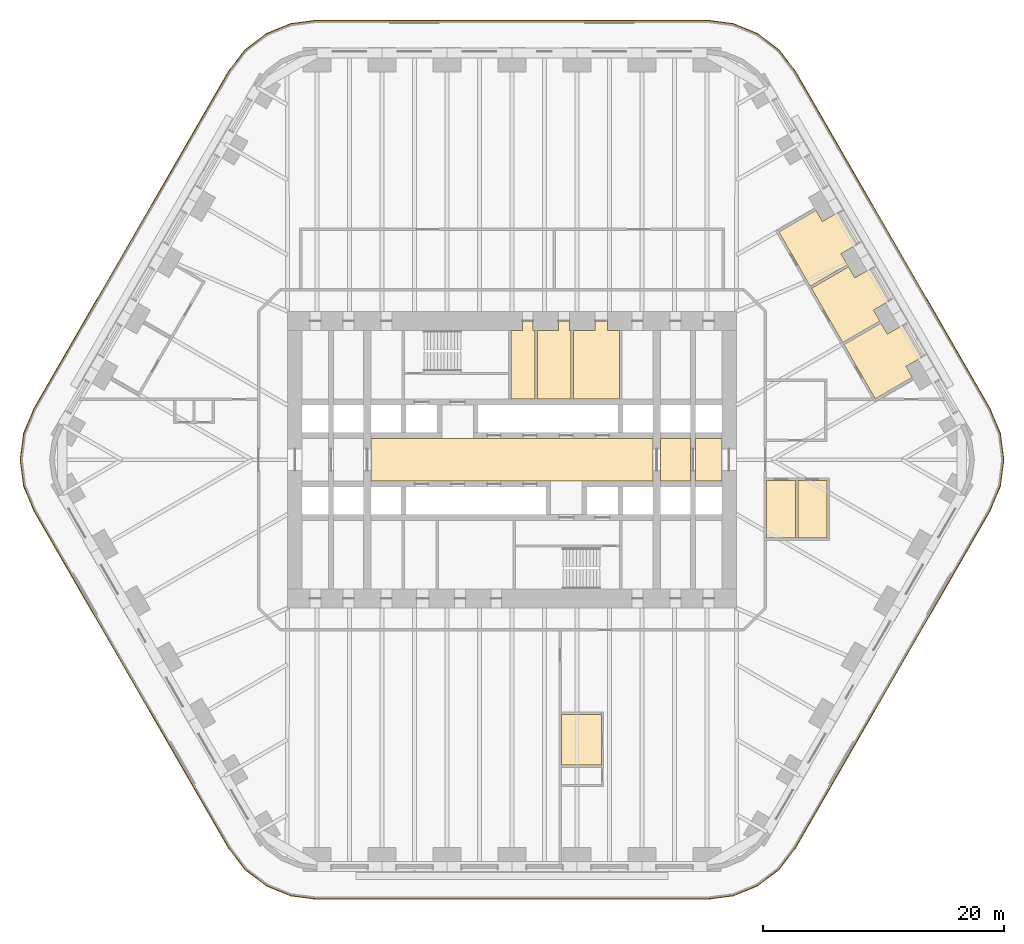
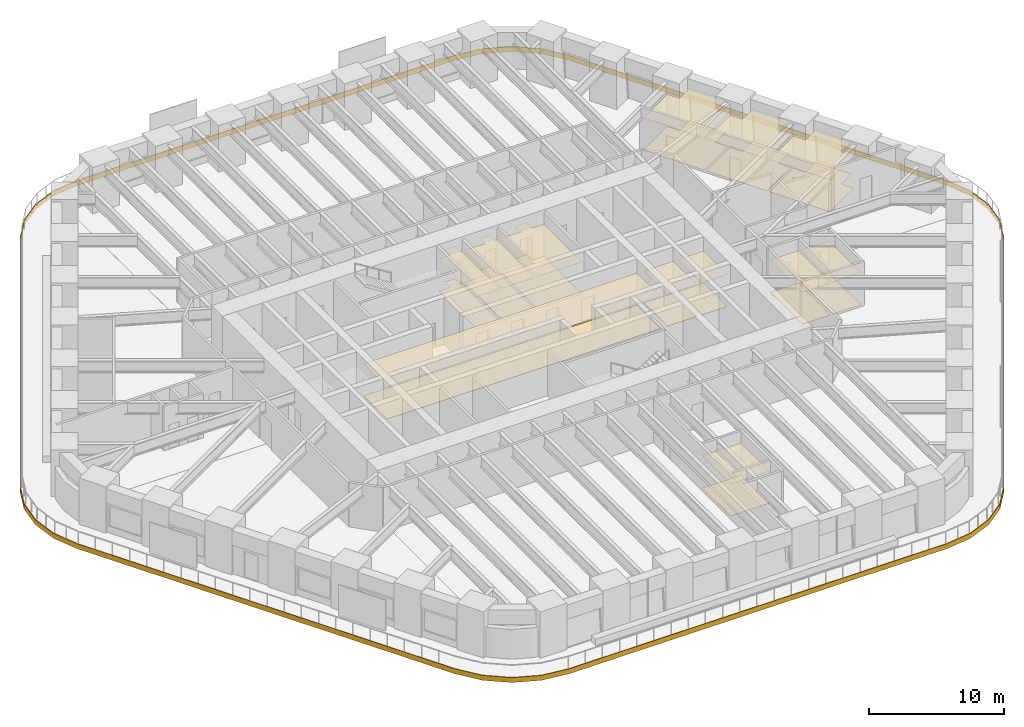
# One storey, part 22 of 23: 15 coverings.
"""IFC4 building model written with IfcOpenShell, lengths in metres."""

from ifc_helpers import new_model, si_unit, direction, frame, origin, place, context, subcontext, project, spatial, polyline, outline, extrude, material, layer, layer_set, type_object, element, save


model = new_model("IFC4")

# Units and contexts
model_context = context("Model", 3, precision=1e-05, world=origin(), true_north=direction((0.0, 1.0)))
body_context = subcontext(model_context, "Body", "Model", "MODEL_VIEW")
ifc_project = project(units=[si_unit("LENGTHUNIT", "METRE"), si_unit("AREAUNIT", "SQUARE_METRE"), si_unit("VOLUMEUNIT", "CUBIC_METRE"), si_unit("PLANEANGLEUNIT", "RADIAN"), si_unit("MASSUNIT", "GRAM", prefix="KILO")], contexts=[model_context])

# Site, building, storey
site_placement = place(None, origin())
site = spatial("IfcSite", under=ifc_project, at=site_placement, CompositionType="ELEMENT")
building_placement = place(site_placement, origin())
building = spatial("IfcBuilding", under=site, at=building_placement, Name="Tarfa Lantern Tower", CompositionType="ELEMENT")
storey_placement = place(building_placement, frame((0.0, 0.0, 40.300048828125)))
storey = spatial("IfcBuildingStorey", under=building, at=storey_placement, Name="L08", CompositionType="ELEMENT", Elevation=40.300048828125)

# Coverings
ifc_material_1 = material(Name="Mineral fibre acoustic tile on suspension grid", Category="finish")
ifc_layer_1 = layer(ifc_material_1, 0.02001953125)
ifc_layer_set_1 = layer_set([ifc_layer_1], Name="CL1 ACOUSTIC TILE CEILING 20")
covering_type_1 = type_object("IfcCoveringType", Name="CL1 ACOUSTIC TILE CEILING 20", PredefinedType="CEILING", material=ifc_layer_set_1)
covering_1_placement = place(storey_placement, frame((0.0, 0.0, 2.89990234375)))
element("IfcCovering", 1, at=covering_1_placement, inside=storey, type_object=covering_type_1, Name="Ceiling L08 CL1", PredefinedType="CEILING", context=body_context, shape_type="SweptSolid", body=[
    extrude(outline(polyline([(27.5126953125, 9.546630859375), (30.5869140625, 11.32177734375), (31.112060546875, 10.412353515625), (32.4111328125, 11.162353515625), (33.955322265625, 8.487548828125), (32.65625, 7.737548828125), (33.181396484375, 6.828369140625), (30.10693359375, 5.05322265625), (27.5126953125, 9.546630859375)])), origin(), (0.0, 0.0, 1.0), 0.02001953125),
    extrude(outline(polyline([(24.818359375, 14.21337890625), (27.892822265625, 15.98828125), (28.417724609375, 15.0791015625), (29.716796875, 15.8291015625), (31.260986328125, 13.154296875), (29.9619140625, 12.404296875), (30.487060546875, 11.494873046875), (27.41259765625, 9.719970703125), (24.818359375, 14.21337890625)])), origin(), (0.0, 0.0, 1.0), 0.02001953125),
    extrude(outline(polyline([(22.1240234375, 18.880126953125), (25.198486328125, 20.655029296875), (25.723388671875, 19.745849609375), (27.0224609375, 20.495849609375), (28.566650390625, 17.821044921875), (27.267822265625, 17.071044921875), (27.792724609375, 16.16162109375), (24.71826171875, 14.38671875), (22.1240234375, 18.880126953125)])), origin(), (0.0, 0.0, 1.0), 0.02001953125),
    extrude(outline(polyline([(21.10009765625, -1.699951171875), (23.5, -1.699951171875), (23.5, -6.5), (21.10009765625, -6.5), (21.10009765625, -1.699951171875)])), origin(), (0.0, 0.0, 1.0), 0.02001953125),
    extrude(outline(polyline([(23.699951171875, -1.699951171875), (26.10009765625, -1.699951171875), (26.10009765625, -6.5), (23.699951171875, -6.5), (23.699951171875, -1.699951171875)])), origin(), (0.0, 0.0, 1.0), 0.02001953125),
    extrude(outline(polyline([(7.39990234375, -25.300048828125), (4.10009765625, -25.300048828125), (4.10009765625, -21.10009765625), (7.39990234375, -21.10009765625), (7.39990234375, -25.300048828125)])), origin(), (0.0, 0.0, 1.0), 0.02001953125),
])
ifc_material_2 = material(Name="Moisture-resistant plasterboard", Category="finish")
ifc_layer_2 = layer(ifc_material_2, 0.014892578125)
ifc_layer_set_2 = layer_set([ifc_layer_2], Name="CL2 MOISTURE-RESISTANT PLASTERBOARD CEILING 15")
covering_type_2 = type_object("IfcCoveringType", Name="CL2 MOISTURE-RESISTANT PLASTERBOARD CEILING 15", PredefinedType="CEILING", material=ifc_layer_set_2)
covering_2_placement = place(storey_placement, frame((0.0, 0.0, 2.89990234375)))
element("IfcCovering", 2, at=covering_2_placement, inside=storey, type_object=covering_type_2, Name="Ceiling L08-09", PredefinedType="CEILING", context=body_context, shape_type="SweptSolid", body=[
    extrude(outline(polyline([(0.85009765625, 10.699951171875), (-0.10009765625, 10.699951171875), (-0.10009765625, 5.050048828125), (1.89990234375, 5.050048828125), (1.89990234375, 10.699951171875), (1.75, 10.699951171875), (1.75, 11.5), (1.75, 11.5), (0.85009765625, 11.5), (0.85009765625, 10.699951171875)])), origin(), (0.0, 0.0, 1.0), 0.01513671875),
])
covering_3_placement = place(storey_placement, frame((0.0, 0.0, 2.89990234375)))
element("IfcCovering", 3, at=covering_3_placement, inside=storey, type_object=covering_type_2, Name="Ceiling L08-10", PredefinedType="CEILING", context=body_context, shape_type="SweptSolid", body=[
    extrude(outline(polyline([(2.10009765625, 5.050048828125), (4.89990234375, 5.050048828125), (4.89990234375, 10.699951171875), (4.75, 10.699951171875), (4.75, 11.5), (3.85009765625, 11.5), (3.85009765625, 10.699951171875), (2.10009765625, 10.699951171875), (2.10009765625, 5.050048828125)])), origin(), (0.0, 0.0, 1.0), 0.01513671875),
])
covering_4_placement = place(storey_placement, frame((0.0, 0.0, 2.89990234375)))
element("IfcCovering", 4, at=covering_4_placement, inside=storey, type_object=covering_type_2, Name="Ceiling L08-11", PredefinedType="CEILING", context=body_context, shape_type="SweptSolid", body=[
    extrude(outline(polyline([(5.10009765625, 5.050048828125), (8.89990234375, 5.050048828125), (8.89990234375, 10.699951171875), (7.89990234375, 10.699951171875), (7.89990234375, 11.5), (6.89990234375, 11.5), (6.89990234375, 10.699951171875), (5.10009765625, 10.699951171875), (5.10009765625, 5.050048828125)])), origin(), (0.0, 0.0, 1.0), 0.01513671875),
])
ifc_material_3 = material(Name="Powder-coated aluminium panel", Category="aluminium")
ifc_layer_3 = layer(ifc_material_3, 0.030029296875)
ifc_layer_set_3 = layer_set([ifc_layer_3], Name="CL3 METAL PANEL CEILING 30")
covering_type_3 = type_object("IfcCoveringType", Name="CL3 METAL PANEL CEILING 30", PredefinedType="CEILING", material=ifc_layer_set_3)
covering_5_placement = place(storey_placement, frame((0.0, 0.0, 2.89990234375)))
element("IfcCovering", 5, at=covering_5_placement, inside=storey, type_object=covering_type_3, Name="Ceiling L08-03", PredefinedType="CEILING", context=body_context, shape_type="SweptSolid", body=[
    extrude(outline(polyline([(-11.699951171875, -1.75), (11.699951171875, -1.75), (11.699951171875, 1.75), (-11.699951171875, 1.75), (-11.699951171875, -1.75)])), origin(), (0.0, 0.0, 1.0), 0.030029296875),
])
covering_6_placement = place(storey_placement, frame((0.0, 0.0, 2.89990234375)))
element("IfcCovering", 6, at=covering_6_placement, inside=storey, type_object=covering_type_3, Name="Ceiling L08-04", PredefinedType="CEILING", context=body_context, shape_type="SweptSolid", body=[
    extrude(outline(polyline([(12.300048828125, -1.75), (14.800048828125, -1.75), (14.800048828125, 1.75), (12.300048828125, 1.75), (12.300048828125, -1.75)])), origin(), (0.0, 0.0, 1.0), 0.030029296875),
])
covering_7_placement = place(storey_placement, frame((0.0, 0.0, 2.89990234375)))
element("IfcCovering", 7, at=covering_7_placement, inside=storey, type_object=covering_type_3, Name="Ceiling L08-05", PredefinedType="CEILING", context=body_context, shape_type="SweptSolid", body=[
    extrude(outline(polyline([(15.199951171875, -1.75), (17.39990234375, -1.75), (17.39990234375, 1.75), (15.199951171875, 1.75), (15.199951171875, -1.75)])), origin(), (0.0, 0.0, 1.0), 0.030029296875),
])
ifc_material_4 = material(Name="Nylon carpet tile", Category="finish")
ifc_layer_4 = layer(ifc_material_4, 0.010009765625)
ifc_layer_set_4 = layer_set([ifc_layer_4], Name="FL1 CARPET TILE 10")
covering_type_4 = type_object("IfcCoveringType", Name="FL1 CARPET TILE 10", PredefinedType="FLOORING", material=ifc_layer_set_4)
covering_8_placement = place(storey_placement, origin())
element("IfcCovering", 8, at=covering_8_placement, inside=storey, type_object=covering_type_4, Name="Floor finish L08 FL1", PredefinedType="FLOORING", context=body_context, shape_type="SweptSolid", body=[
    extrude(outline(polyline([(27.5126953125, 9.546630859375), (30.5869140625, 11.32177734375), (31.112060546875, 10.412353515625), (32.4111328125, 11.162353515625), (33.955322265625, 8.487548828125), (32.65625, 7.737548828125), (33.181396484375, 6.828369140625), (30.10693359375, 5.05322265625), (27.5126953125, 9.546630859375)])), origin(), (0.0, 0.0, 1.0), 0.010009765625),
    extrude(outline(polyline([(24.818359375, 14.21337890625), (27.892822265625, 15.98828125), (28.417724609375, 15.0791015625), (29.716796875, 15.8291015625), (31.260986328125, 13.154296875), (29.9619140625, 12.404296875), (30.487060546875, 11.494873046875), (27.41259765625, 9.719970703125), (24.818359375, 14.21337890625)])), origin(), (0.0, 0.0, 1.0), 0.010009765625),
    extrude(outline(polyline([(22.1240234375, 18.880126953125), (25.198486328125, 20.655029296875), (25.723388671875, 19.745849609375), (27.0224609375, 20.495849609375), (28.566650390625, 17.821044921875), (27.267822265625, 17.071044921875), (27.792724609375, 16.16162109375), (24.71826171875, 14.38671875), (22.1240234375, 18.880126953125)])), origin(), (0.0, 0.0, 1.0), 0.010009765625),
    extrude(outline(polyline([(21.10009765625, -1.699951171875), (23.5, -1.699951171875), (23.5, -6.5), (21.10009765625, -6.5), (21.10009765625, -1.699951171875)])), origin(), (0.0, 0.0, 1.0), 0.010009765625),
    extrude(outline(polyline([(23.699951171875, -1.699951171875), (26.10009765625, -1.699951171875), (26.10009765625, -6.5), (23.699951171875, -6.5), (23.699951171875, -1.699951171875)])), origin(), (0.0, 0.0, 1.0), 0.010009765625),
    extrude(outline(polyline([(7.39990234375, -25.300048828125), (4.10009765625, -25.300048828125), (4.10009765625, -21.10009765625), (7.39990234375, -21.10009765625), (7.39990234375, -25.300048828125)])), origin(), (0.0, 0.0, 1.0), 0.010009765625),
])
ifc_material_5 = material(Name="Honed limestone flooring", Category="masonry")
ifc_layer_5 = layer(ifc_material_5, 0.030029296875)
ifc_layer_set_5 = layer_set([ifc_layer_5], Name="FL2 STONE FLOORING 30")
covering_type_5 = type_object("IfcCoveringType", Name="FL2 STONE FLOORING 30", PredefinedType="FLOORING", material=ifc_layer_set_5)
covering_9_placement = place(storey_placement, origin())
element("IfcCovering", 9, at=covering_9_placement, inside=storey, type_object=covering_type_5, Name="Floor finish L08-03", PredefinedType="FLOORING", context=body_context, shape_type="SweptSolid", body=[
    extrude(outline(polyline([(-11.699951171875, -1.75), (11.699951171875, -1.75), (11.699951171875, 1.75), (-11.699951171875, 1.75), (-11.699951171875, -1.75)])), origin(), (0.0, 0.0, 1.0), 0.030029296875),
])
covering_10_placement = place(storey_placement, origin())
element("IfcCovering", 10, at=covering_10_placement, inside=storey, type_object=covering_type_5, Name="Floor finish L08-04", PredefinedType="FLOORING", context=body_context, shape_type="SweptSolid", body=[
    extrude(outline(polyline([(12.300048828125, -1.75), (14.800048828125, -1.75), (14.800048828125, 1.75), (12.300048828125, 1.75), (12.300048828125, -1.75)])), origin(), (0.0, 0.0, 1.0), 0.030029296875),
])
covering_11_placement = place(storey_placement, origin())
element("IfcCovering", 11, at=covering_11_placement, inside=storey, type_object=covering_type_5, Name="Floor finish L08-05", PredefinedType="FLOORING", context=body_context, shape_type="SweptSolid", body=[
    extrude(outline(polyline([(15.199951171875, -1.75), (17.39990234375, -1.75), (17.39990234375, 1.75), (15.199951171875, 1.75), (15.199951171875, -1.75)])), origin(), (0.0, 0.0, 1.0), 0.030029296875),
])
ifc_material_6 = material(Name="Porcelain floor tile", Category="finish")
ifc_layer_6 = layer(ifc_material_6, 0.011962890625)
ifc_layer_set_6 = layer_set([ifc_layer_6], Name="FL3 CERAMIC TILE 12")
covering_type_6 = type_object("IfcCoveringType", Name="FL3 CERAMIC TILE 12", PredefinedType="FLOORING", material=ifc_layer_set_6)
covering_12_placement = place(storey_placement, origin())
element("IfcCovering", 12, at=covering_12_placement, inside=storey, type_object=covering_type_6, Name="Floor finish L08-09", PredefinedType="FLOORING", context=body_context, shape_type="SweptSolid", body=[
    extrude(outline(polyline([(0.85009765625, 10.699951171875), (-0.10009765625, 10.699951171875), (-0.10009765625, 5.050048828125), (1.89990234375, 5.050048828125), (1.89990234375, 10.699951171875), (1.75, 10.699951171875), (1.75, 11.5), (1.75, 11.5), (0.85009765625, 11.5), (0.85009765625, 10.699951171875)])), origin(), (0.0, 0.0, 1.0), 0.011962890625),
])
covering_13_placement = place(storey_placement, origin())
element("IfcCovering", 13, at=covering_13_placement, inside=storey, type_object=covering_type_6, Name="Floor finish L08-10", PredefinedType="FLOORING", context=body_context, shape_type="SweptSolid", body=[
    extrude(outline(polyline([(2.10009765625, 5.050048828125), (4.89990234375, 5.050048828125), (4.89990234375, 10.699951171875), (4.75, 10.699951171875), (4.75, 11.5), (3.85009765625, 11.5), (3.85009765625, 10.699951171875), (2.10009765625, 10.699951171875), (2.10009765625, 5.050048828125)])), origin(), (0.0, 0.0, 1.0), 0.011962890625),
])
covering_14_placement = place(storey_placement, origin())
element("IfcCovering", 14, at=covering_14_placement, inside=storey, type_object=covering_type_6, Name="Floor finish L08-11", PredefinedType="FLOORING", context=body_context, shape_type="SweptSolid", body=[
    extrude(outline(polyline([(5.10009765625, 5.050048828125), (8.89990234375, 5.050048828125), (8.89990234375, 10.699951171875), (7.89990234375, 10.699951171875), (7.89990234375, 11.5), (6.89990234375, 11.5), (6.89990234375, 10.699951171875), (5.10009765625, 10.699951171875), (5.10009765625, 5.050048828125)])), origin(), (0.0, 0.0, 1.0), 0.011962890625),
])
ifc_material_7 = material(Name="Limestone cladding on brackets", Category="masonry")
ifc_layer_7 = layer(ifc_material_7, 0.050048828125)
ifc_layer_set_7 = layer_set([ifc_layer_7], Name="SB1 STONE BAND CLADDING 50")
covering_type_7 = type_object("IfcCoveringType", Name="SB1 STONE BAND CLADDING 50", PredefinedType="CLADDING", material=ifc_layer_set_7)
covering_15_placement = place(storey_placement, frame((0.0, 0.0, -0.400146484375)))
element("IfcCovering", 15, at=covering_15_placement, inside=storey, type_object=covering_type_7, Name="Stone band", PredefinedType="CLADDING", context=body_context, shape_type="SweptSolid", body=[
    extrude(outline(polyline([(39.6494140625, 4.22509765625), (23.483642578125, 32.22509765625), (22.140869140625, 33.97509765625), (20.390869140625, 35.31787109375), (18.352783203125, 36.162109375), (16.165771484375, 36.449951171875), (-16.165771484375, 36.449951171875), (-18.352783203125, 36.162109375), (-20.390869140625, 35.31787109375), (-22.140869140625, 33.97509765625), (-23.483642578125, 32.22509765625), (-39.6494140625, 4.22509765625), (-40.49365234375, 2.18701171875), (-40.781494140625, 0.0), (-40.49365234375, -2.18701171875), (-39.6494140625, -4.22509765625), (-23.483642578125, -32.22509765625), (-22.140869140625, -33.97509765625), (-20.390869140625, -35.31787109375), (-18.352783203125, -36.162109375), (-16.165771484375, -36.449951171875), (16.165771484375, -36.449951171875), (18.352783203125, -36.162109375), (20.390869140625, -35.31787109375), (22.140869140625, -33.97509765625), (23.483642578125, -32.22509765625), (39.6494140625, -4.22509765625), (40.49365234375, -2.18701171875), (40.781494140625, 0.0), (40.49365234375, 2.18701171875), (39.6494140625, 4.22509765625)]), holes=[polyline([(39.606201171875, 4.199951171875), (23.4404296875, 32.199951171875), (22.10546875, 33.939697265625), (20.36572265625, 35.274658203125), (18.33984375, 36.11376953125), (16.165771484375, 36.39990234375), (-16.165771484375, 36.39990234375), (-18.33984375, 36.11376953125), (-20.36572265625, 35.274658203125), (-22.10546875, 33.939697265625), (-23.4404296875, 32.199951171875), (-39.606201171875, 4.199951171875), (-40.4453125, 2.174072265625), (-40.731689453125, 0.0), (-40.4453125, -2.174072265625), (-39.606201171875, -4.199951171875), (-23.4404296875, -32.199951171875), (-22.10546875, -33.939697265625), (-20.36572265625, -35.274658203125), (-18.33984375, -36.11376953125), (-16.165771484375, -36.39990234375), (16.165771484375, -36.39990234375), (18.33984375, -36.11376953125), (20.36572265625, -35.274658203125), (22.10546875, -33.939697265625), (23.4404296875, -32.199951171875), (39.606201171875, -4.199951171875), (40.4453125, -2.174072265625), (40.731689453125, 0.0), (40.4453125, 2.174072265625), (39.606201171875, 4.199951171875)])]), origin(), (0.0, 0.0, 1.0), 0.4501953125),
])

save(model, "model.ifc")
